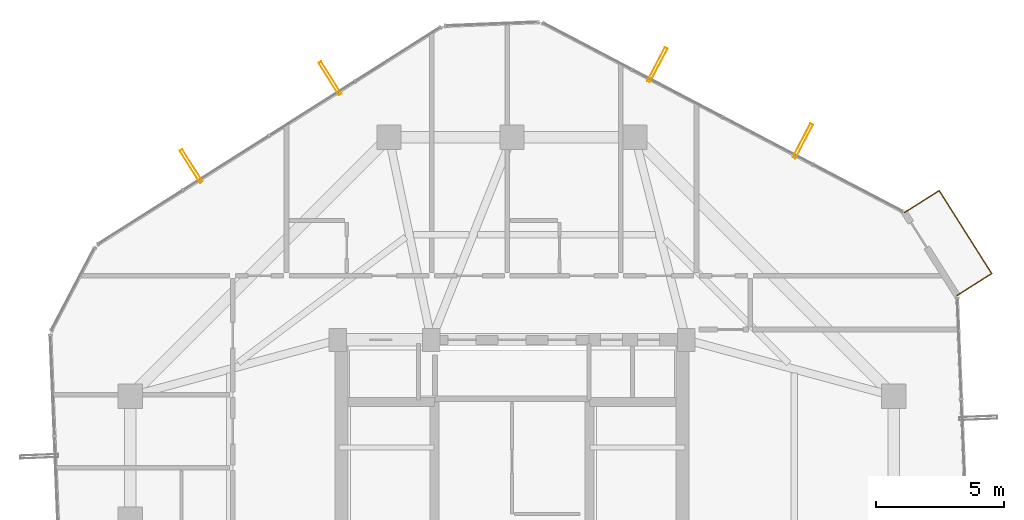
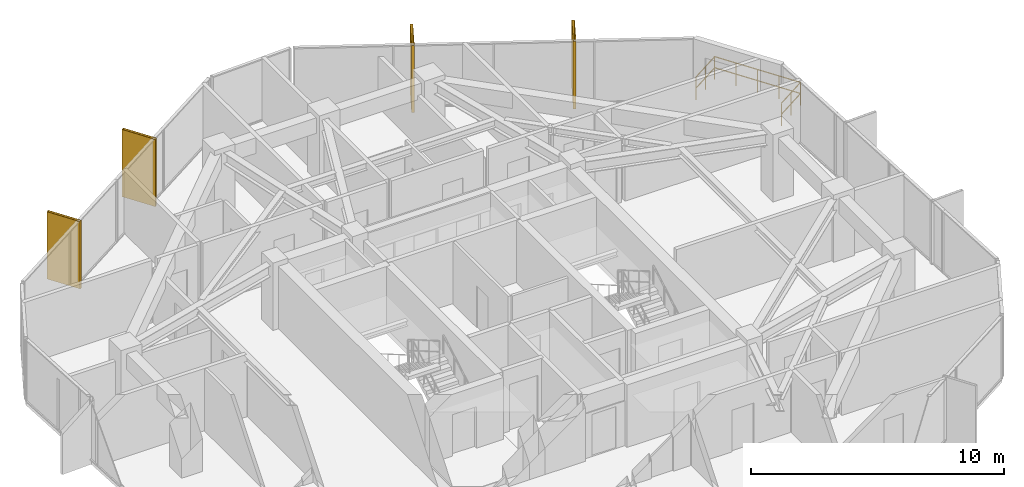
# One storey, part 33 of 33: 4 shading devices, 1 railing.
"""IFC4 building model written with IfcOpenShell, lengths in metres."""

from ifc_helpers import new_model, si_unit, direction, frame, origin, origin_2d, place, context, subcontext, project, spatial, hollow_rectangle, circle, extrude, material, material_profile, profile_set, type_object, element, save


model = new_model("IFC4")

# Units and contexts
model_context = context("Model", 3, precision=1e-05, world=origin(), true_north=direction((0.0, 1.0)))
body_context = subcontext(model_context, "Body", "Model", "MODEL_VIEW")
ifc_project = project(units=[si_unit("LENGTHUNIT", "METRE"), si_unit("AREAUNIT", "SQUARE_METRE"), si_unit("VOLUMEUNIT", "CUBIC_METRE"), si_unit("PLANEANGLEUNIT", "RADIAN"), si_unit("MASSUNIT", "GRAM", prefix="KILO")], contexts=[model_context])

# Site, building, storey
site_placement = place(None, origin())
site = spatial("IfcSite", under=ifc_project, at=site_placement, CompositionType="ELEMENT")
building_placement = place(site_placement, origin())
building = spatial("IfcBuilding", under=site, at=building_placement, Name="Veraguas Prism Commons", CompositionType="ELEMENT")
storey_placement = place(building_placement, frame((0.0, 0.0, 198.35009765625)))
storey = spatial("IfcBuildingStorey", under=building, at=storey_placement, Name="L56", CompositionType="ELEMENT", Elevation=198.35009765625)

# Shading devices
ifc_material_1 = material(Name="Anodised aluminium EN AW-6063 T6", Category="aluminium")
ifc_material_profile = material_profile(ifc_material_1, hollow_rectangle(XDim=0.1201171875, YDim=1.489990234375, WallThickness=0.006103515625, at=origin_2d()), Name="FIN120X1490X6")
ifc_profile_set = profile_set([ifc_material_profile], Name="Anodised aluminium EN AW-6063 T6")
shading_device_type = type_object("IfcShadingDeviceType", Name="Deep Pale-Metal Vertical Solar Fin 120x1490", PredefinedType="USERDEFINED", material=ifc_profile_set)
for number, where, z_axis, x_axis, name in (
    (1, (35.349853515625, 38.752197265625, -0.215087890625), (0.0, 0.0, 1.0), (-0.885718741153, 0.464222265268, 0.0), "Vertical Pale-Metal Solar Fin L56-F1A"),
    (2, (29.67333984375, 41.7275390625, -0.215087890625), (0.0, 0.0, 1.0), (-0.885718741153, 0.464222265268, 0.0), "Vertical Pale-Metal Solar Fin L56-F1B"),
    (3, (16.899169921875, 41.205322265625, -0.215087890625), (0.0, 0.0, 1.0), (-0.844886711646, -0.534945272419, 0.0), "Vertical Pale-Metal Solar Fin L56-F2A"),
    (4, (11.484375, 37.777099609375, -0.215087890625), (0.0, 0.0, 1.0), (-0.844886711646, -0.534945272419, 0.0), "Vertical Pale-Metal Solar Fin L56-F2B"),
):
    element("IfcShadingDevice", number, at=place(storey_placement, frame(where, z_axis=z_axis, x_axis=x_axis)), inside=storey, type_object=shading_device_type, Name=name, ObjectType="FIN", PredefinedType="USERDEFINED", context=body_context, shape_type="SweptSolid", body=[
        extrude(hollow_rectangle(XDim=0.1201171875, YDim=1.489990234375, WallThickness=0.006103515625, at=origin_2d()), origin(), (0.0, 0.0, 1.0), 3.25),
    ])

# Railing
ifc_material_2 = material(Name="Stainless steel AISI 316", Category="steel")
railing_type = type_object("IfcRailingType", Name="Loggia and Sky Pool Glazed Balustrade 1120", PredefinedType="BALUSTRADE", material=ifc_material_2)
railing_placement = place(storey_placement, frame((41.368408203125, 32.7275390625, 0.0)))
element("IfcRailing", 5, at=railing_placement, inside=storey, type_object=railing_type, Name="Recessed Corner Loggia L56-C1 Guard", PredefinedType="BALUSTRADE", context=body_context, shape_type="SweptSolid", body=[
    extrude(circle(Radius=0.02392578125, at=origin_2d()), frame((0.0, 0.0, 1.09619140625), z_axis=(0.844871950366, 0.534968585512, 0.0), x_axis=(-0.534968585512, 0.844871950366, 0.0)), (0.0, 0.0, 1.0), 1.60009765625),
    extrude(circle(Radius=0.02392578125, at=origin_2d()), frame((0.0, 0.0, 0.56005859375), z_axis=(0.844871950366, 0.534968585512, 0.0), x_axis=(-0.534968585512, 0.844871950366, 0.0)), (0.0, 0.0, 1.0), 1.60009765625),
    extrude(circle(Radius=0.02392578125, at=origin_2d()), frame((1.351806640625, 0.85595703125, 1.09619140625), z_axis=(-0.534946046298, 0.844886221659, 0.0), x_axis=(-0.844886221659, -0.534946046298, 0.0)), (0.0, 0.0, 1.0), 3.83447265625),
    extrude(circle(Radius=0.02392578125, at=origin_2d()), frame((1.351806640625, 0.85595703125, 0.56005859375), z_axis=(-0.534946046298, 0.844886221659, 0.0), x_axis=(-0.844886221659, -0.534946046298, 0.0)), (0.0, 0.0, 1.0), 3.83447265625),
    extrude(circle(Radius=0.02392578125, at=origin_2d()), frame((-0.699462890625, 4.095703125, 1.09619140625), z_axis=(-0.844871950366, -0.534968585512, 0.0), x_axis=(0.534968585512, -0.844871950366, 0.0)), (0.0, 0.0, 1.0), 1.60009765625),
    extrude(circle(Radius=0.02392578125, at=origin_2d()), frame((-0.699462890625, 4.095703125, 0.56005859375), z_axis=(-0.844871950366, -0.534968585512, 0.0), x_axis=(0.534968585512, -0.844871950366, 0.0)), (0.0, 0.0, 1.0), 1.60009765625),
    extrude(circle(Radius=0.02099609375, at=origin_2d()), origin(), (0.0, 0.0, 1.0), 1.072021484375),
    extrude(circle(Radius=0.02099609375, at=origin_2d()), frame((0.67578125, 0.427978515625, 0.0)), (0.0, 0.0, 1.0), 1.072021484375),
    extrude(circle(Radius=0.02099609375, at=origin_2d()), frame((1.351806640625, 0.85595703125, 0.0)), (0.0, 0.0, 1.0), 1.072021484375),
    extrude(circle(Radius=0.02099609375, at=origin_2d()), frame((0.8388671875, 1.666015625, 0.0)), (0.0, 0.0, 1.0), 1.072021484375),
    extrude(circle(Radius=0.02099609375, at=origin_2d()), frame((0.326171875, 2.475830078125, 0.0)), (0.0, 0.0, 1.0), 1.072021484375),
    extrude(circle(Radius=0.02099609375, at=origin_2d()), frame((-0.1865234375, 3.28564453125, 0.0)), (0.0, 0.0, 1.0), 1.072021484375),
    extrude(circle(Radius=0.02099609375, at=origin_2d()), frame((-0.699462890625, 4.095703125, 0.0)), (0.0, 0.0, 1.0), 1.072021484375),
    extrude(circle(Radius=0.02099609375, at=origin_2d()), frame((-1.37548828125, 3.667724609375, 0.0)), (0.0, 0.0, 1.0), 1.072021484375),
    extrude(circle(Radius=0.02099609375, at=origin_2d()), frame((-2.05126953125, 3.23974609375, 0.0)), (0.0, 0.0, 1.0), 1.072021484375),
])

save(model, "model.ifc")
